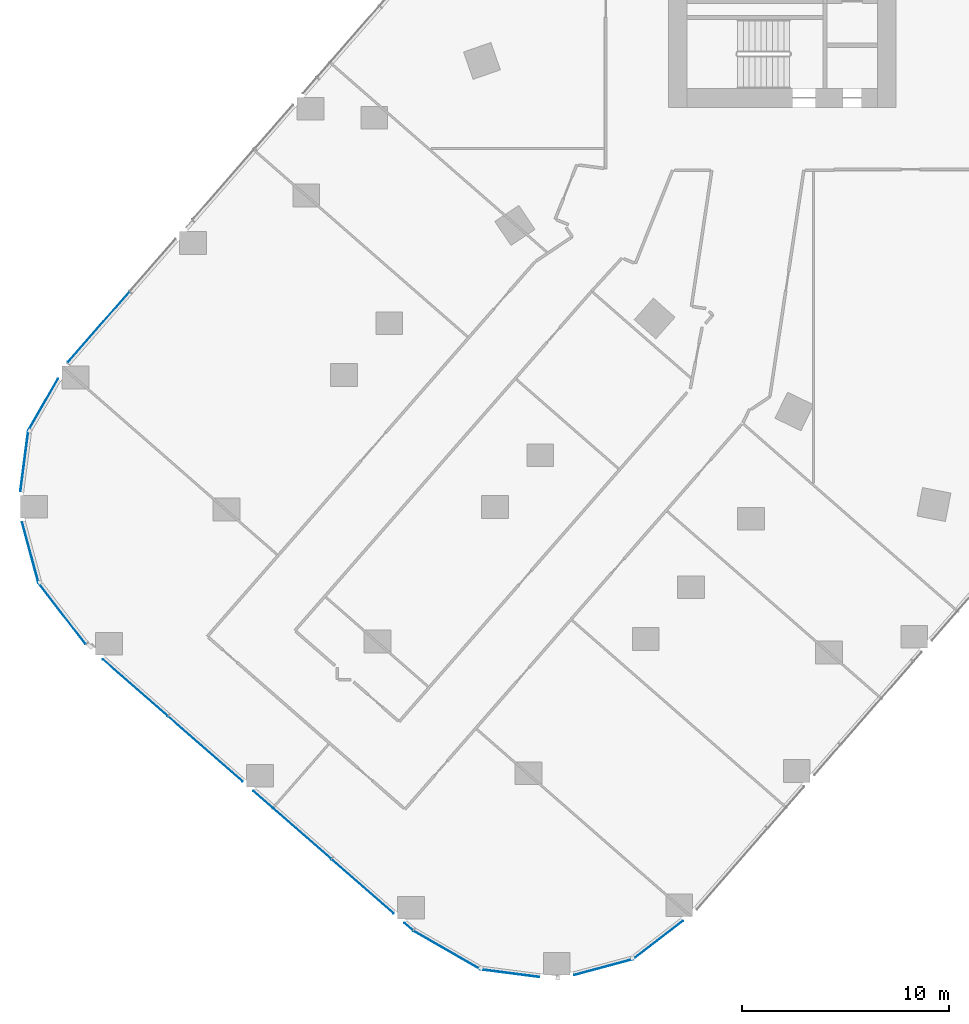
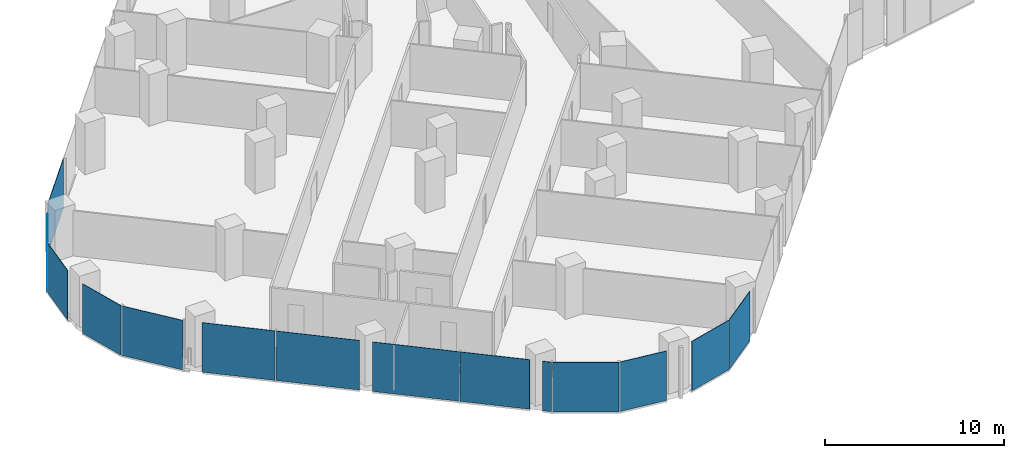
# One storey, part 18 of 38: 14 plates, 10 elements without a shape of their own.
"""IFC4 building model written with IfcOpenShell, lengths in metres."""

from ifc_helpers import new_model, si_unit, direction, frame, origin, origin_2d, place, context, subcontext, project, spatial, rectangle, extrude, material, layer, layer_set, type_object, element, aggregate, save


model = new_model("IFC4")

# Units and contexts
model_context = context("Model", 3, precision=1e-05, world=origin(), true_north=direction((0.0, 1.0)))
body_context = subcontext(model_context, "Body", "Model", "MODEL_VIEW")
ifc_project = project(units=[si_unit("LENGTHUNIT", "METRE"), si_unit("AREAUNIT", "SQUARE_METRE"), si_unit("VOLUMEUNIT", "CUBIC_METRE"), si_unit("PLANEANGLEUNIT", "RADIAN"), si_unit("MASSUNIT", "GRAM", prefix="KILO")], contexts=[model_context])

# Site, building, storey
site_placement = place(None, origin())
site = spatial("IfcSite", under=ifc_project, at=site_placement, CompositionType="ELEMENT")
building_placement = place(site_placement, origin())
building = spatial("IfcBuilding", under=site, at=building_placement, Name="Orlundy Tower", CompositionType="ELEMENT")
storey_placement = place(building_placement, frame((0.0, 0.0, 62.300048828125)))
storey = spatial("IfcBuildingStorey", under=building, at=storey_placement, Name="L14", CompositionType="ELEMENT", Elevation=62.300048828125)

# Curtain wall, plate
ifc_material_1 = material(Name="Aluminium bronze anodised", Category="aluminium")
curtain_wall_type = type_object("IfcCurtainWallType", Name="CW1 wall", PredefinedType="NOTDEFINED", material=ifc_material_1)
curtain_wall_1_placement = place(storey_placement, origin())
curtain_wall_1 = element("IfcCurtainWall", 1, at=curtain_wall_1_placement, inside=storey, type_object=curtain_wall_type, Name="CW1 run 03", PredefinedType="NOTDEFINED")
ifc_material_2 = material(Name="Tinted glass", Category="glass")
ifc_layer = layer(ifc_material_2, 0.031982421875)
ifc_layer_set = layer_set([ifc_layer], Name="CW1 glass panel 32")
plate_type = type_object("IfcPlateType", Name="CW1 glass panel 32", PredefinedType="CURTAIN_PANEL", material=ifc_layer_set)
plate_1_placement = place(storey_placement, frame((-19.51318359375, -52.286865234375, -0.280029296875), z_axis=(0.0, 0.0, 1.0), x_axis=(-0.79239325108, -0.610010602893, 0.0)))
plate_1 = element("IfcPlate", 2, at=plate_1_placement, type_object=plate_type, Name="CW1 panel", PredefinedType="CURTAIN_PANEL", context=body_context, shape_type="SweptSolid", body=[
    extrude(rectangle(XDim=3.045654296875, YDim=0.031982421875, at=origin_2d()), origin(), (0.0, 0.0, 1.0), 3.3798828125),
])
aggregate(curtain_wall_1, [plate_1])

curtain_wall_2_placement = place(storey_placement, origin())
curtain_wall_2 = element("IfcCurtainWall", 3, at=curtain_wall_2_placement, inside=storey, type_object=curtain_wall_type, Name="CW1 run 04", PredefinedType="NOTDEFINED")
plate_2_placement = place(storey_placement, frame((-22.141357421875, -53.598876953125, -0.280029296875), z_axis=(0.0, 0.0, 1.0), x_axis=(-0.965587098839, -0.26007990033, 0.0)))
plate_2 = element("IfcPlate", 4, at=plate_2_placement, type_object=plate_type, Name="CW1 panel", PredefinedType="CURTAIN_PANEL", context=body_context, shape_type="SweptSolid", body=[
    extrude(rectangle(XDim=2.944580078125, YDim=0.031982421875, at=origin_2d()), origin(), (0.0, 0.0, 1.0), 3.3798828125),
])
aggregate(curtain_wall_2, [plate_2])

curtain_wall_3_placement = place(storey_placement, origin())
curtain_wall_3 = element("IfcCurtainWall", 5, at=curtain_wall_3_placement, inside=storey, type_object=curtain_wall_type, Name="CW1 run 05", PredefinedType="NOTDEFINED")
plate_3_placement = place(storey_placement, frame((-26.682861328125, -53.89501953125, -0.280029296875), z_axis=(0.0, 0.0, 1.0), x_axis=(-0.991651478458, 0.128947063839, 0.0)))
plate_3 = element("IfcPlate", 6, at=plate_3_placement, type_object=plate_type, Name="CW1 panel", PredefinedType="CURTAIN_PANEL", context=body_context, shape_type="SweptSolid", body=[
    extrude(rectangle(XDim=2.863525390625, YDim=0.031982421875, at=origin_2d()), origin(), (0.0, 0.0, 1.0), 3.3798828125),
])
aggregate(curtain_wall_3, [plate_3])

curtain_wall_4_placement = place(storey_placement, origin())
curtain_wall_4 = element("IfcCurtainWall", 7, at=curtain_wall_4_placement, inside=storey, type_object=curtain_wall_type, Name="CW1 run 06", PredefinedType="NOTDEFINED")
plate_4_placement = place(storey_placement, frame((-29.71923828125, -52.780029296875, -0.280029296875), z_axis=(0.0, 0.0, 1.0), x_axis=(-0.866728479616, 0.498780254844, 0.0)))
plate_4 = element("IfcPlate", 8, at=plate_4_placement, type_object=plate_type, Name="CW1 panel", PredefinedType="CURTAIN_PANEL", context=body_context, shape_type="SweptSolid", body=[
    extrude(rectangle(XDim=3.730712890625, YDim=0.031982421875, at=origin_2d()), origin(), (0.0, 0.0, 1.0), 3.3798828125),
])
aggregate(curtain_wall_4, [plate_4])

# Curtain wall, plates
curtain_wall_5_placement = place(storey_placement, origin())
curtain_wall_5 = element("IfcCurtainWall", 9, at=curtain_wall_5_placement, inside=storey, type_object=curtain_wall_type, Name="CW1 run 07", PredefinedType="NOTDEFINED")
plate_5_placement = place(storey_placement, frame((-31.57421875, -51.647705078125, -0.280029296875), z_axis=(0.0, 0.0, 1.0), x_axis=(-0.752789052597, 0.658261834143, 0.0)))
plate_5 = element("IfcPlate", 10, at=plate_5_placement, type_object=plate_type, Name="CW1 panel", PredefinedType="CURTAIN_PANEL", context=body_context, shape_type="SweptSolid", body=[
    extrude(rectangle(XDim=0.52490234375, YDim=0.031982421875, at=origin_2d()), origin(), (0.0, 0.0, 1.0), 3.3798828125),
])
plate_6_placement = place(storey_placement, frame((-33.81103515625, -49.69189453125, -0.280029296875), z_axis=(0.0, 0.0, 1.0), x_axis=(-0.752789052597, 0.658261834143, 0.0)))
plate_6 = element("IfcPlate", 11, at=plate_6_placement, type_object=plate_type, Name="CW1 panel", PredefinedType="CURTAIN_PANEL", context=body_context, shape_type="SweptSolid", body=[
    extrude(rectangle(XDim=3.964111328125, YDim=0.031982421875, at=origin_2d()), origin(), (0.0, 0.0, 1.0), 3.3798828125),
])
plate_7_placement = place(storey_placement, frame((-37.207275390625, -46.72216796875, -0.280029296875), z_axis=(0.0, 0.0, 1.0), x_axis=(-0.752789052597, 0.658261834143, 0.0)))
plate_7 = element("IfcPlate", 12, at=plate_7_placement, type_object=plate_type, Name="CW1 panel", PredefinedType="CURTAIN_PANEL", context=body_context, shape_type="SweptSolid", body=[
    extrude(rectangle(XDim=4.958984375, YDim=0.031982421875, at=origin_2d()), origin(), (0.0, 0.0, 1.0), 3.3798828125),
])
plate_8_placement = place(storey_placement, frame((-41.4140625, -43.04345703125, -0.280029296875), z_axis=(0.0, 0.0, 1.0), x_axis=(-0.752789052597, 0.658261834143, 0.0)))
plate_8 = element("IfcPlate", 13, at=plate_8_placement, type_object=plate_type, Name="CW1 panel", PredefinedType="CURTAIN_PANEL", context=body_context, shape_type="SweptSolid", body=[
    extrude(rectangle(XDim=4.763916015625, YDim=0.031982421875, at=origin_2d()), origin(), (0.0, 0.0, 1.0), 3.3798828125),
])
plate_9_placement = place(storey_placement, frame((-44.810302734375, -40.073974609375, -0.280029296875), z_axis=(0.0, 0.0, 1.0), x_axis=(-0.752789052597, 0.658261834143, 0.0)))
plate_9 = element("IfcPlate", 14, at=plate_9_placement, type_object=plate_type, Name="CW1 panel", PredefinedType="CURTAIN_PANEL", context=body_context, shape_type="SweptSolid", body=[
    extrude(rectangle(XDim=4.1591796875, YDim=0.031982421875, at=origin_2d()), origin(), (0.0, 0.0, 1.0), 3.3798828125),
])
aggregate(curtain_wall_5, [plate_5, plate_6, plate_7, plate_8, plate_9])

# Curtain wall, plate
curtain_wall_6_placement = place(storey_placement, origin())
curtain_wall_6 = element("IfcCurtainWall", 15, at=curtain_wall_6_placement, inside=storey, type_object=curtain_wall_type, Name="CW1 run 08", PredefinedType="NOTDEFINED")
plate_10_placement = place(storey_placement, frame((-48.34326171875, -36.49462890625, -0.280029296875), z_axis=(0.0, 0.0, 1.0), x_axis=(-0.609880211285, 0.792493613781, 0.0)))
plate_10 = element("IfcPlate", 16, at=plate_10_placement, type_object=plate_type, Name="CW1 panel", PredefinedType="CURTAIN_PANEL", context=body_context, shape_type="SweptSolid", body=[
    extrude(rectangle(XDim=3.73095703125, YDim=0.031982421875, at=origin_2d()), origin(), (0.0, 0.0, 1.0), 3.3798828125),
])
aggregate(curtain_wall_6, [plate_10])

curtain_wall_7_placement = place(storey_placement, origin())
curtain_wall_7 = element("IfcCurtainWall", 17, at=curtain_wall_7_placement, inside=storey, type_object=curtain_wall_type, Name="CW1 run 09", PredefinedType="NOTDEFINED")
plate_11_placement = place(storey_placement, frame((-49.877685546875, -33.544677734375, -0.280029296875), z_axis=(0.0, 0.0, 1.0), x_axis=(-0.260331417091, 0.965519317919, 0.0)))
plate_11 = element("IfcPlate", 18, at=plate_11_placement, type_object=plate_type, Name="CW1 panel", PredefinedType="CURTAIN_PANEL", context=body_context, shape_type="SweptSolid", body=[
    extrude(rectangle(XDim=3.04833984375, YDim=0.031982421875, at=origin_2d()), origin(), (0.0, 0.0, 1.0), 3.3798828125),
])
aggregate(curtain_wall_7, [plate_11])

curtain_wall_8_placement = place(storey_placement, origin())
curtain_wall_8 = element("IfcCurtainWall", 19, at=curtain_wall_8_placement, inside=storey, type_object=curtain_wall_type, Name="CW1 run 010", PredefinedType="NOTDEFINED")
plate_12_placement = place(storey_placement, frame((-50.1669921875, -29.103759765625, -0.280029296875), z_axis=(0.0, 0.0, 1.0), x_axis=(0.129246900831, 0.991612443763, 0.0)))
plate_12 = element("IfcPlate", 20, at=plate_12_placement, type_object=plate_type, Name="CW1 panel", PredefinedType="CURTAIN_PANEL", context=body_context, shape_type="SweptSolid", body=[
    extrude(rectangle(XDim=2.96337890625, YDim=0.031982421875, at=origin_2d()), origin(), (0.0, 0.0, 1.0), 3.3798828125),
])
aggregate(curtain_wall_8, [plate_12])

curtain_wall_9_placement = place(storey_placement, origin())
curtain_wall_9 = element("IfcCurtainWall", 21, at=curtain_wall_9_placement, inside=storey, type_object=curtain_wall_type, Name="CW1 run 011", PredefinedType="NOTDEFINED")
plate_13_placement = place(storey_placement, frame((-49.25732421875, -26.3857421875, -0.280029296875), z_axis=(0.0, 0.0, 1.0), x_axis=(0.498577567738, 0.866845089361, 0.0)))
plate_13 = element("IfcPlate", 22, at=plate_13_placement, type_object=plate_type, Name="CW1 panel", PredefinedType="CURTAIN_PANEL", context=body_context, shape_type="SweptSolid", body=[
    extrude(rectangle(XDim=2.881103515625, YDim=0.031982421875, at=origin_2d()), origin(), (0.0, 0.0, 1.0), 3.3798828125),
])
aggregate(curtain_wall_9, [plate_13])

curtain_wall_10_placement = place(storey_placement, origin())
curtain_wall_10 = element("IfcCurtainWall", 23, at=curtain_wall_10_placement, inside=storey, type_object=curtain_wall_type, Name="CW1 run 012", PredefinedType="NOTDEFINED")
plate_14_placement = place(storey_placement, frame((-46.571044921875, -22.627197265625, -0.280029296875), z_axis=(0.0, 0.0, 1.0), x_axis=(0.658273153933, 0.752779154075, 0.0)))
plate_14 = element("IfcPlate", 24, at=plate_14_placement, type_object=plate_type, Name="CW1 panel", PredefinedType="CURTAIN_PANEL", context=body_context, shape_type="SweptSolid", body=[
    extrude(rectangle(XDim=4.50537109375, YDim=0.031982421875, at=origin_2d()), origin(), (0.0, 0.0, 1.0), 3.3798828125),
])
aggregate(curtain_wall_10, [plate_14])

save(model, "model.ifc")
